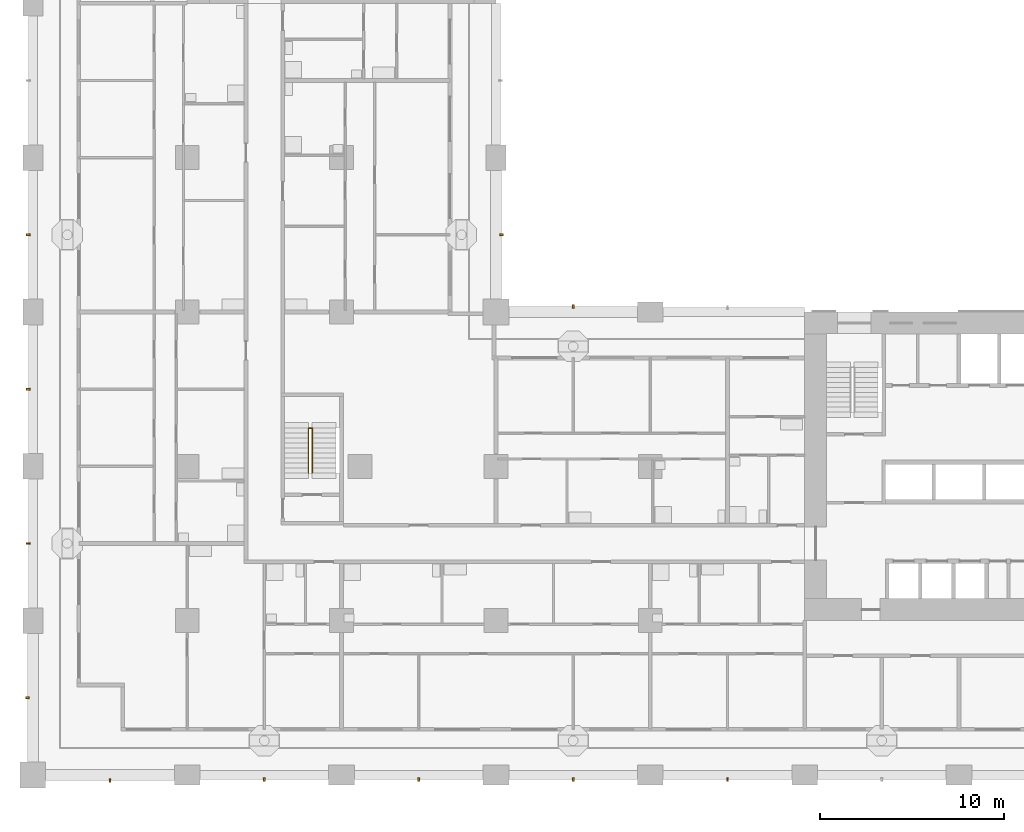
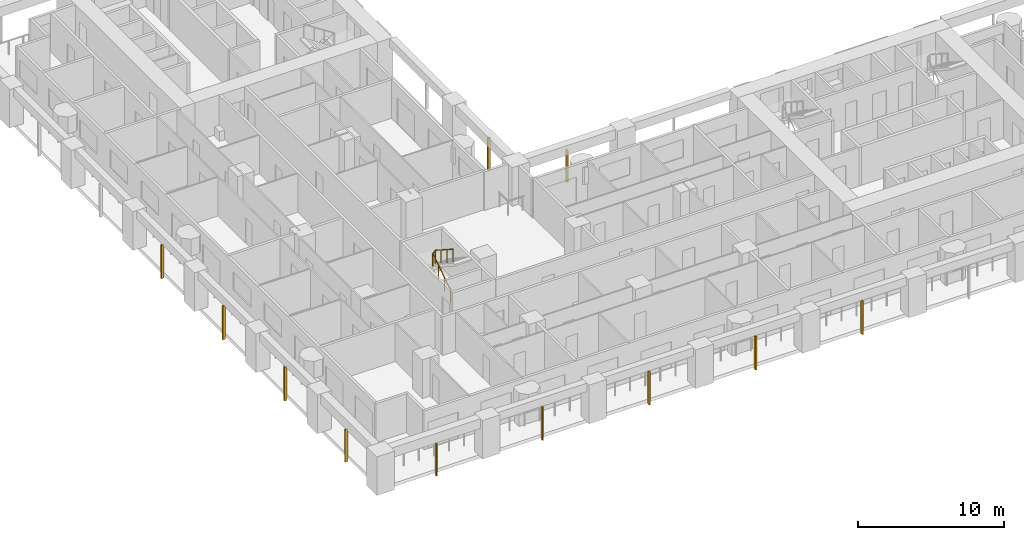
# One storey, part 11 of 20: 11 shading devices, 1 railing.
"""IFC4 building model written with IfcOpenShell, lengths in metres."""

import ifcopenshell
import ifcopenshell.guid

model = None  # the IFC model being written
_history = None  # IfcOwnerHistory: only IFC2X3 demands one
_inside = {}  # id of a spatial element -> (the spatial element, [elements in it])
_under = {}  # id of a project, library or spatial element -> (it, [spatial elements below it])
_declared = {}  # id of a project -> (the project, [libraries it declares])
_typed = {}  # id of a type object -> (the type object, [elements of that type])
_made_of = {}  # id of a material, layer set ... -> (it, [elements and type objects made of it])


def new_model(schema):
    """Start an empty IFC model of exactly this schema.

    Asked for "IFC4X3", IfcOpenShell would pick the latest addendum, in which some entities
    have other attributes; the version numbers below select the first issue.
    IFC2X3 requires an IfcOwnerHistory on every rooted entity: one is made here for all.
    """
    global model, _history
    if schema == "IFC4X3":
        model = ifcopenshell.file(schema_version=(4, 3, 0, 0))
    else:
        model = ifcopenshell.file(schema=schema)
    _inside.clear()
    _under.clear()
    _declared.clear()
    _typed.clear()
    _made_of.clear()
    _history = None
    if model.schema == "IFC2X3":
        org = make("IfcOrganization", Name="unknown")
        user = make(
            "IfcPersonAndOrganization",
            ThePerson=make("IfcPerson", FamilyName="unknown"),
            TheOrganization=org,
        )
        app = make(
            "IfcApplication",
            ApplicationDeveloper=org,
            Version="unknown",
            ApplicationFullName="unknown",
            ApplicationIdentifier="unknown",
        )
        _history = make(
            "IfcOwnerHistory",
            OwningUser=user,
            OwningApplication=app,
            ChangeAction="ADDED",
            CreationDate=0,
        )
    return model


def make(cls, **values):
    """One entity of the class cls with the attributes given. An attribute that is None is left unset."""
    return model.create_entity(
        cls, **{name: value for name, value in values.items() if value is not None}
    )


def rooted(cls, **values):
    """An entity with a GlobalId (a new one), such as an element, a storey or a relation."""
    return make(cls, GlobalId=ifcopenshell.guid.new(), OwnerHistory=_history, **values)


def si_unit(unit_type, name, prefix=None):
    """IfcSIUnit, for example si_unit("LENGTHUNIT", "METRE", prefix="MILLI")."""
    return make("IfcSIUnit", UnitType=unit_type, Prefix=prefix, Name=name)


def assignment(units):
    """IfcUnitAssignment: the units of a project."""
    return None if units is None else make("IfcUnitAssignment", Units=units)


def point(xyz):
    """IfcCartesianPoint."""
    return None if xyz is None else make("IfcCartesianPoint", Coordinates=xyz)


def direction(xyz):
    """IfcDirection."""
    return None if xyz is None else make("IfcDirection", DirectionRatios=xyz)


def frame(location, z_axis=None, x_axis=None):
    """IfcAxis2Placement3D, a coordinate frame: its origin and axes. An axis left out is left unset."""
    return make(
        "IfcAxis2Placement3D",
        Location=point(location),
        Axis=direction(z_axis),
        RefDirection=direction(x_axis),
    )


def frame_2d(location, x_axis=None):
    """IfcAxis2Placement2D, a coordinate frame in the plane: its origin and x axis."""
    return make(
        "IfcAxis2Placement2D", Location=point(location), RefDirection=direction(x_axis)
    )


def origin():
    """The frame at (0, 0, 0) with its axes left unset."""
    return frame((0.0, 0.0, 0.0))


def origin_2d():
    """The frame at (0, 0) in the plane with its x axis left unset."""
    return frame_2d((0.0, 0.0))


def place(relative_to, where):
    """IfcLocalPlacement: puts the frame where relative to a parent placement (None: the world)."""
    return make(
        "IfcLocalPlacement", PlacementRelTo=relative_to, RelativePlacement=where
    )


def context(
    kind, dimensions, precision=None, world=None, true_north=None, identifier=None
):
    """IfcGeometricRepresentationContext, for example the 3D "Model" context."""
    return make(
        "IfcGeometricRepresentationContext",
        ContextIdentifier=identifier,
        ContextType=kind,
        CoordinateSpaceDimension=dimensions,
        Precision=precision,
        WorldCoordinateSystem=world,
        TrueNorth=true_north,
    )


def subcontext(parent, identifier, kind, view, scale=None):
    """IfcGeometricRepresentationSubContext, for example "Body" below "Model"."""
    return make(
        "IfcGeometricRepresentationSubContext",
        ContextIdentifier=identifier,
        ContextType=kind,
        ParentContext=parent,
        TargetScale=scale,
        TargetView=view,
    )


def project(units=None, contexts=None):
    """IfcProject with its units and contexts."""
    return rooted(
        "IfcProject",
        Name="project",
        RepresentationContexts=contexts,
        UnitsInContext=assignment(units),
    )


def spatial(cls, under=None, at=None, **own):
    """A site, building, storey or space (cls), placed at a placement, below another one or the project."""
    s = rooted(cls, ObjectPlacement=at, **own)
    if under is not None:
        _under.setdefault(under.id(), (under, []))[1].append(s)
    return s


def profile(cls, at=None, kind="AREA", **sizes):
    """A parametric profile (cls). Its sizes go by their IFC names, for example OverallWidth=200.0."""
    return make(cls, ProfileType=kind, Position=at, **sizes)


def rectangle(**sizes):
    """IfcRectangleProfileDef."""
    return profile("IfcRectangleProfileDef", **sizes)


def circle(**sizes):
    """IfcCircleProfileDef."""
    return profile("IfcCircleProfileDef", **sizes)


def extrude(swept, where, along, depth):
    """IfcExtrudedAreaSolid: the profile swept, set in the frame where, extruded along a direction by depth."""
    return make(
        "IfcExtrudedAreaSolid",
        SweptArea=swept,
        Position=where,
        ExtrudedDirection=direction(along),
        Depth=depth,
    )


def shape(context_of_items, identifier, shape_type, items):
    """IfcShapeRepresentation: the items that make up one representation, for example the "Body"."""
    return make(
        "IfcShapeRepresentation",
        ContextOfItems=context_of_items,
        RepresentationIdentifier=identifier,
        RepresentationType=shape_type,
        Items=items,
    )


def material(Name=None, Category=None):
    """IfcMaterial."""
    return make("IfcMaterial", Name=Name, Category=Category)


def material_profile(
    of_material, cross_section, Name=None, Category=None, Priority=None
):
    """IfcMaterialProfile: a cross section and its material."""
    return make(
        "IfcMaterialProfile",
        Name=Name,
        Material=of_material,
        Profile=cross_section,
        Priority=Priority,
        Category=Category,
    )


def profile_set(profiles, Name=None, composite=None):
    """IfcMaterialProfileSet."""
    return make(
        "IfcMaterialProfileSet",
        Name=Name,
        MaterialProfiles=profiles,
        CompositeProfile=composite,
    )


def made_of(thing, what):
    """Note that an element or type object is made of a material, layer set ...; save() writes the relation."""
    if what is not None:
        _made_of.setdefault(what.id(), (what, []))[1].append(thing)
    return thing


def type_object(cls, material=None, **own):
    """A type object (cls), such as IfcWallType, which elements share."""
    return made_of(rooted(cls, **own), material)


def element(
    cls,
    number,
    at=None,
    inside=None,
    cuts=None,
    type_object=None,
    material=None,
    context=None,
    identifier="Body",
    shape_type=None,
    held_by="IfcProductDefinitionShape",
    body=None,
    shapes=None,
    **own,
):
    """One element of the class cls, such as IfcWall. Its Tag is "e" and its number.

    at: its placement. inside: the storey or other place that contains it. cuts: it is an
    opening in that element (IfcRelVoidsElement). A single representation is given by context,
    identifier, shape_type and body (its items); several are given by shapes. held_by: the class
    of the entity that holds the representations. save() writes the other relations.
    """
    e = rooted(cls, Tag="e%d" % number, ObjectPlacement=at, **own)
    if body is not None:
        shapes = [shape(context, identifier, shape_type, body)]
    if shapes is not None:
        e.Representation = make(held_by, Representations=shapes)
    if inside is not None:
        _inside.setdefault(inside.id(), (inside, []))[1].append(e)
    if cuts is not None:
        rooted(
            "IfcRelVoidsElement", RelatingBuildingElement=cuts, RelatedOpeningElement=e
        )
    if type_object is not None:
        _typed.setdefault(type_object.id(), (type_object, []))[1].append(e)
    return made_of(e, material)


def aggregate(whole, parts):
    """IfcRelAggregates: a whole, such as a stair, and the parts it consists of."""
    return rooted("IfcRelAggregates", RelatingObject=whole, RelatedObjects=parts)


def save(model, path):
    """Write the relations noted so far, then the file.

    IfcRelAggregates (storeys below a building ...), IfcRelContainedInSpatialStructure (elements
    in a storey), IfcRelDefinesByType, IfcRelAssociatesMaterial and IfcRelDeclares: one each for
    every whole, place, type object, material and project.
    """
    for whole, parts in _under.values():
        aggregate(whole, parts)
    for where, things in _inside.values():
        rooted(
            "IfcRelContainedInSpatialStructure",
            RelatedElements=things,
            RelatingStructure=where,
        )
    for kind, things in _typed.values():
        rooted("IfcRelDefinesByType", RelatedObjects=things, RelatingType=kind)
    for what, things in _made_of.values():
        rooted("IfcRelAssociatesMaterial", RelatedObjects=things, RelatingMaterial=what)
    for by, libraries in _declared.values():
        rooted("IfcRelDeclares", RelatingContext=by, RelatedDefinitions=libraries)
    model.write(path)


model = new_model("IFC4")

# Units and contexts
model_context = context("Model", 3, precision=1e-05, world=origin(), true_north=direction((0.0, 1.0)))
body_context = subcontext(model_context, "Body", "Model", "MODEL_VIEW")
ifc_project = project(units=[si_unit("LENGTHUNIT", "METRE"), si_unit("AREAUNIT", "SQUARE_METRE"), si_unit("VOLUMEUNIT", "CUBIC_METRE"), si_unit("PLANEANGLEUNIT", "RADIAN"), si_unit("MASSUNIT", "GRAM", prefix="KILO")], contexts=[model_context])

# Site, building, storey
site_placement = place(None, origin())
site = spatial("IfcSite", under=ifc_project, at=site_placement, CompositionType="ELEMENT")
building_placement = place(site_placement, origin())
building = spatial("IfcBuilding", under=site, at=building_placement, Name="Vermilion Gate Residences", CompositionType="ELEMENT")
storey_placement = place(building_placement, frame((0.0, 0.0, 35.699951171875)))
storey = spatial("IfcBuildingStorey", under=building, at=storey_placement, Name="L07", CompositionType="ELEMENT", Elevation=35.699951171875)

# Railing
ifc_material_1 = material(Name="Steel S355", Category="steel")
railing_type = type_object("IfcRailingType", Name="STAIR GUARD 1100 STEEL", PredefinedType="GUARDRAIL", material=ifc_material_1)
railing_placement = place(storey_placement, frame((15.0, 16.449951171875, 0.175048828125)))
element("IfcRailing", 1, at=railing_placement, inside=storey, type_object=railing_type, Name="Stair well guard STC1-07", PredefinedType="GUARDRAIL", context=body_context, shape_type="SweptSolid", body=[
    extrude(circle(Radius=0.02392578125, at=origin_2d()), frame((0.0, 0.0, 1.076171875), z_axis=(0.0, 0.839153699163, 0.543894354798), x_axis=(-1.0, 0.0, 0.0)), (0.0, 0.0, 1.0), 2.895751953125),
    extrude(circle(Radius=0.02392578125, at=origin_2d()), frame((0.0, 2.429931640625, 2.65087890625), z_axis=(0.752405939678, 0.0, 0.658699705433), x_axis=(0.0, 1.0, 0.0)), (0.0, 0.0, 1.0), 0.265869140625),
    extrude(circle(Radius=0.02392578125, at=origin_2d()), frame((0.199951171875, 2.429931640625, 2.826171875), z_axis=(0.0, -0.839153699163, 0.543894354798), x_axis=(1.0, 0.0, 0.0)), (0.0, 0.0, 1.0), 2.895751953125),
    extrude(circle(Radius=0.02099609375, at=origin_2d()), origin(), (0.0, 0.0, 1.0), 1.052001953125),
    extrude(circle(Radius=0.02099609375, at=origin_2d()), frame((0.0, 0.81005859375, 0.52490234375)), (0.0, 0.0, 1.0), 1.052001953125),
    extrude(circle(Radius=0.02099609375, at=origin_2d()), frame((0.0, 1.619873046875, 1.050048828125)), (0.0, 0.0, 1.0), 1.052001953125),
    extrude(circle(Radius=0.02099609375, at=origin_2d()), frame((0.0, 2.429931640625, 1.574951171875)), (0.0, 0.0, 1.0), 1.052001953125),
    extrude(circle(Radius=0.02099609375, at=origin_2d()), frame((0.199951171875, 2.429931640625, 1.75)), (0.0, 0.0, 1.0), 1.052001953125),
    extrude(circle(Radius=0.02099609375, at=origin_2d()), frame((0.199951171875, 1.619873046875, 2.27490234375)), (0.0, 0.0, 1.0), 1.052001953125),
    extrude(circle(Radius=0.02099609375, at=origin_2d()), frame((0.199951171875, 0.81005859375, 2.800048828125)), (0.0, 0.0, 1.0), 1.052001953125),
    extrude(circle(Radius=0.02099609375, at=origin_2d()), frame((0.199951171875, 0.0, 3.324951171875)), (0.0, 0.0, 1.0), 1.052001953125),
])

# Shading devices
ifc_material_2 = material(Name="Extruded terracotta", Category="masonry")
ifc_material_profile = material_profile(ifc_material_2, rectangle(XDim=0.199951171875, YDim=0.10009765625, at=origin_2d()), Name="BAGUETTE 100 X 200")
ifc_profile_set = profile_set([ifc_material_profile], Name="Extruded terracotta")
shading_device_type = type_object("IfcShadingDeviceType", Name="TERRACOTTA BAGUETTE 100 X 200", PredefinedType="JALOUSIE", material=ifc_profile_set)
shading_device_placement = place(storey_placement, frame((4.199951171875, -0.300048828125, -0.280029296875), z_axis=(0.0, 0.0, 1.0), x_axis=(0.0, 1.0, 0.0)))
element("IfcShadingDevice", 2, at=shading_device_placement, inside=storey, type_object=shading_device_type, Name="BAGUETTE", PredefinedType="JALOUSIE", context=body_context, shape_type="SweptSolid", body=[
    extrude(rectangle(XDim=0.199951171875, YDim=0.10009765625, at=origin_2d()), origin(), (0.0, 0.0, 1.0), 2.7001953125),
])
for number, where, z_axis, x_axis, name in (
    (3, (12.60009765625, -0.25, -0.280029296875), (0.0, 0.0, 1.0), (0.0, 1.0, 0.0), "BAGUETTE"),
    (4, (21.0, -0.25, -0.280029296875), (0.0, 0.0, 1.0), (0.0, 1.0, 0.0), "BAGUETTE"),
    (5, (29.39990234375, -0.25, -0.280029296875), (0.0, 0.0, 1.0), (0.0, 1.0, 0.0), "BAGUETTE"),
    (6, (37.800048828125, -0.25, -0.280029296875), (0.0, 0.0, 1.0), (0.0, 1.0, 0.0), "BAGUETTE"),
):
    element("IfcShadingDevice", number, at=place(storey_placement, frame(where, z_axis=z_axis, x_axis=x_axis)), inside=storey, type_object=shading_device_type, Name=name, PredefinedType="JALOUSIE", context=body_context, shape_type="SweptSolid", body=[
        extrude(rectangle(XDim=0.199951171875, YDim=0.10009765625, at=origin_2d()), origin(), (0.0, 0.0, 1.0), 2.800048828125),
    ])
for number, where, z_axis, x_axis, name in (
    (7, (29.39990234375, 25.5, -0.280029296875), (0.0, 0.0, 1.0), (0.0, -1.0, 0.0), "BAGUETTE"),
    (8, (25.5, 29.39990234375, -0.280029296875), (0.0, 0.0, 1.0), (-1.0, 0.0, 0.0), "BAGUETTE"),
    (9, (-0.300048828125, 4.199951171875, -0.280029296875), (0.0, 0.0, 1.0), (1.0, 0.0, 0.0), "BAGUETTE"),
):
    element("IfcShadingDevice", number, at=place(storey_placement, frame(where, z_axis=z_axis, x_axis=x_axis)), inside=storey, type_object=shading_device_type, Name=name, PredefinedType="JALOUSIE", context=body_context, shape_type="SweptSolid", body=[
        extrude(rectangle(XDim=0.199951171875, YDim=0.10009765625, at=origin_2d()), origin(), (0.0, 0.0, 1.0), 2.7001953125),
    ])
for number, where, z_axis, x_axis, name in (
    (10, (-0.25, 12.60009765625, -0.280029296875), (0.0, 0.0, 1.0), (1.0, 0.0, 0.0), "BAGUETTE"),
    (11, (-0.25, 21.0, -0.280029296875), (0.0, 0.0, 1.0), (1.0, 0.0, 0.0), "BAGUETTE"),
    (12, (-0.25, 29.39990234375, -0.280029296875), (0.0, 0.0, 1.0), (1.0, 0.0, 0.0), "BAGUETTE"),
):
    element("IfcShadingDevice", number, at=place(storey_placement, frame(where, z_axis=z_axis, x_axis=x_axis)), inside=storey, type_object=shading_device_type, Name=name, PredefinedType="JALOUSIE", context=body_context, shape_type="SweptSolid", body=[
        extrude(rectangle(XDim=0.199951171875, YDim=0.10009765625, at=origin_2d()), origin(), (0.0, 0.0, 1.0), 2.800048828125),
    ])

save(model, "model.ifc")
